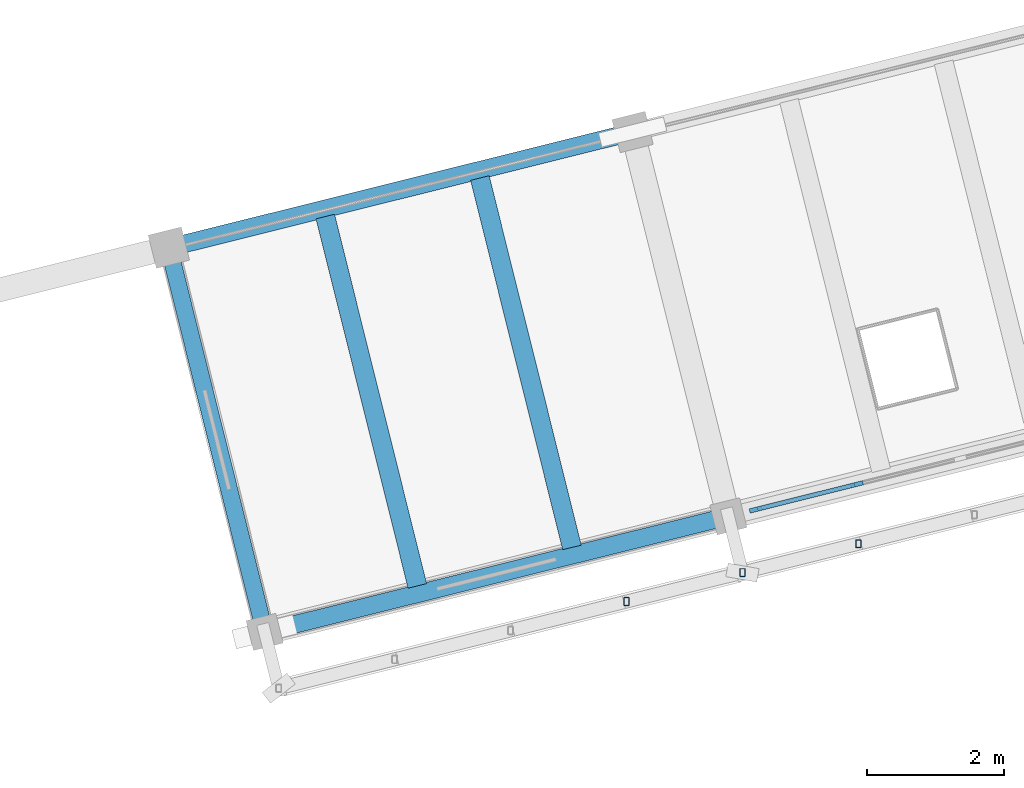
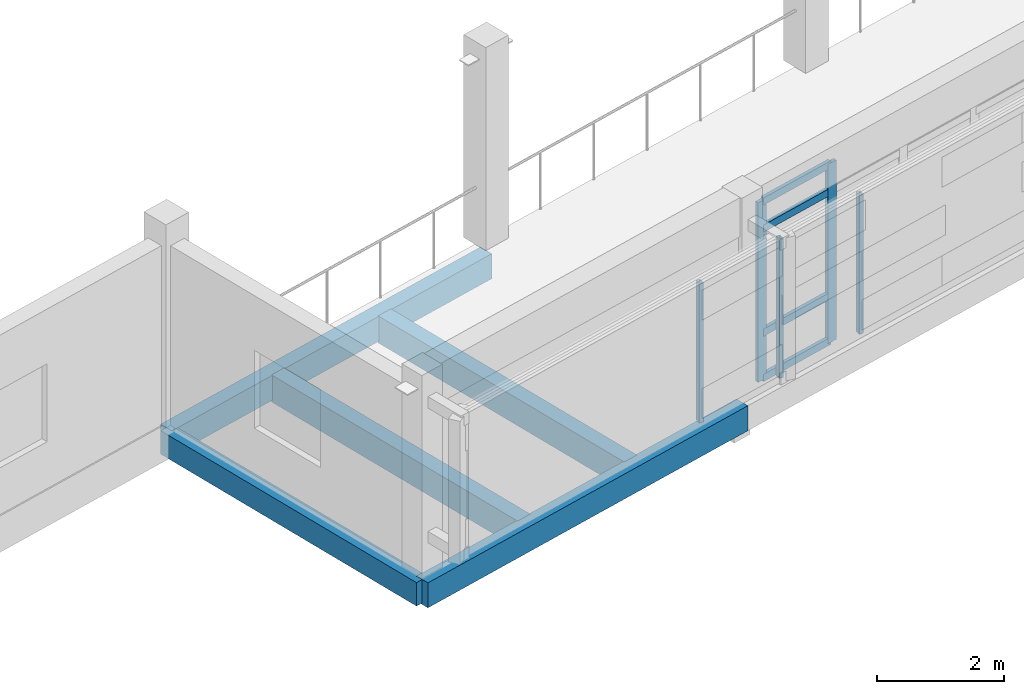
# One storey, part 6 of 117: 9 members, 5 beams, 1 element without a shape of its own.
"""IFC4 building model written with IfcOpenShell, lengths in metres."""

from ifc_helpers import new_model, si_unit, direction, frame, origin, origin_2d, place, context, subcontext, project, spatial, rectangle, hollow_rectangle, extrude, material, material_profile, profile_set, type_object, element, aggregate, save


model = new_model("IFC4")

# Units and contexts
model_context = context("Model", 3, precision=1e-05, world=origin(), true_north=direction((0.0, 1.0)))
body_context = subcontext(model_context, "Body", "Model", "MODEL_VIEW")
ifc_project = project(units=[si_unit("LENGTHUNIT", "METRE"), si_unit("AREAUNIT", "SQUARE_METRE"), si_unit("VOLUMEUNIT", "CUBIC_METRE"), si_unit("PLANEANGLEUNIT", "RADIAN"), si_unit("MASSUNIT", "GRAM", prefix="KILO")], contexts=[model_context])

# Site, building, storey
site_placement = place(None, origin())
site = spatial("IfcSite", under=ifc_project, at=site_placement, CompositionType="ELEMENT")
building_placement = place(site_placement, origin())
building = spatial("IfcBuilding", under=site, at=building_placement, Name="Cinderway Yard Community Centre", CompositionType="ELEMENT")
storey_placement = place(building_placement, frame((0.0, 0.0, 9.0)))
storey = spatial("IfcBuildingStorey", under=building, at=storey_placement, Name="L02", CompositionType="ELEMENT", Elevation=9.0)

# Curtain wall, members
ifc_material_1 = material(Name="Aluminium 6063-T6", Category="aluminium")
curtain_wall_type = type_object("IfcCurtainWallType", Name="ENV-CW-TYPE-08", PredefinedType="USERDEFINED", material=ifc_material_1)
curtain_wall_placement = place(storey_placement, origin())
curtain_wall = element("IfcCurtainWall", 1, at=curtain_wall_placement, inside=storey, type_object=curtain_wall_type, Name="Sanctuary South Curtain Wall ENV-CW-L02-HS-0027", ObjectType="GLAZED CURTAIN WALL", PredefinedType="USERDEFINED")
ifc_material_profile_1 = material_profile(ifc_material_1, rectangle(XDim=0.06494140625, YDim=0.179931640625, at=origin_2d()), Name="Aluminium 6063-T6")
ifc_profile_set_1 = profile_set([ifc_material_profile_1], Name="Aluminium 6063-T6")
member_type_1 = type_object("IfcMemberType", Name="ENV-CW-MULL-180", PredefinedType="MULLION", material=ifc_profile_set_1)
member_1_placement = place(storey_placement, frame((35.195068359375, 22.975341796875, 0.0), z_axis=(0.0, 0.0, 1.0), x_axis=(-0.241856748919, 0.970311966845, 0.0)))
member_1 = element("IfcMember", 2, at=member_1_placement, type_object=member_type_1, Name="CW-08 mullion 1", PredefinedType="MULLION", context=body_context, shape_type="SweptSolid", body=[
    extrude(rectangle(XDim=0.06494140625, YDim=0.179931640625, at=origin_2d()), origin(), (0.0, 0.0, 1.0), 3.449951171875),
])
member_2_placement = place(storey_placement, frame((36.679443359375, 23.34521484375, 0.0), z_axis=(0.0, 0.0, 1.0), x_axis=(-0.241856748919, 0.970311966845, 0.0)))
member_2 = element("IfcMember", 3, at=member_2_placement, type_object=member_type_1, Name="CW-08 mullion 2", PredefinedType="MULLION", context=body_context, shape_type="SweptSolid", body=[
    extrude(rectangle(XDim=0.06494140625, YDim=0.179931640625, at=origin_2d()), origin(), (0.0, 0.0, 1.0), 3.449951171875),
])
ifc_material_profile_2 = material_profile(ifc_material_1, rectangle(XDim=0.06494140625, YDim=0.139892578125, at=origin_2d()), Name="Aluminium 6063-T6")
ifc_profile_set_2 = profile_set([ifc_material_profile_2], Name="Aluminium 6063-T6")
member_type_2 = type_object("IfcMemberType", Name="ENV-CW-TRAN-140", PredefinedType="USERDEFINED", material=ifc_profile_set_2)
member_3_placement = place(storey_placement, frame((35.22412109375, 22.982421875, 0.030029296875), z_axis=(0.970318108791, 0.241832106539, 0.0), x_axis=(-0.241832106539, 0.970318108791, 0.0)))
member_3 = element("IfcMember", 4, at=member_3_placement, type_object=member_type_2, Name="CW-08 transom 1.1", ObjectType="TRANSOM", PredefinedType="USERDEFINED", context=body_context, shape_type="SweptSolid", body=[
    extrude(rectangle(XDim=0.06494140625, YDim=0.139892578125, at=origin_2d()), origin(), (0.0, 0.0, 1.0), 1.469970703125),
])
member_4_placement = place(storey_placement, frame((35.22412109375, 22.982421875, 0.89990234375), z_axis=(0.970318108791, 0.241832106539, 0.0), x_axis=(-0.241832106539, 0.970318108791, 0.0)))
member_4 = element("IfcMember", 5, at=member_4_placement, type_object=member_type_2, Name="CW-08 transom 1.2", ObjectType="TRANSOM", PredefinedType="USERDEFINED", context=body_context, shape_type="SweptSolid", body=[
    extrude(rectangle(XDim=0.06494140625, YDim=0.139892578125, at=origin_2d()), origin(), (0.0, 0.0, 1.0), 1.469970703125),
])
member_5_placement = place(storey_placement, frame((35.22412109375, 22.982421875, 2.89990234375), z_axis=(0.970318108791, 0.241832106539, 0.0), x_axis=(-0.241832106539, 0.970318108791, 0.0)))
member_5 = element("IfcMember", 6, at=member_5_placement, type_object=member_type_2, Name="CW-08 transom 1.3", ObjectType="TRANSOM", PredefinedType="USERDEFINED", context=body_context, shape_type="SweptSolid", body=[
    extrude(rectangle(XDim=0.06494140625, YDim=0.139892578125, at=origin_2d()), origin(), (0.0, 0.0, 1.0), 1.469970703125),
])
member_6_placement = place(storey_placement, frame((35.22412109375, 22.982421875, 3.419921875), z_axis=(0.970318108791, 0.241832106539, 0.0), x_axis=(-0.241832106539, 0.970318108791, 0.0)))
member_6 = element("IfcMember", 7, at=member_6_placement, type_object=member_type_2, Name="CW-08 transom 1.4", ObjectType="TRANSOM", PredefinedType="USERDEFINED", context=body_context, shape_type="SweptSolid", body=[
    extrude(rectangle(XDim=0.06494140625, YDim=0.139892578125, at=origin_2d()), origin(), (0.0, 0.0, 1.0), 1.469970703125),
])
aggregate(curtain_wall, [member_1, member_2, member_3, member_4, member_5, member_6])

# Members
ifc_material_2 = material(Name="Steel S355", Category="steel")
ifc_material_profile_3 = material_profile(ifc_material_2, hollow_rectangle(XDim=0.080078125, YDim=0.1201171875, WallThickness=0.00634765625, InnerFilletRadius=0.00634765625, OuterFilletRadius=0.0126953125, at=origin_2d()), Name="Steel S355")
ifc_profile_set_3 = profile_set([ifc_material_profile_3], Name="Steel S355")
member_type_3 = type_object("IfcMemberType", Name="ENV-MEM-SCREEN-RAIL-120", PredefinedType="STRINGER", material=ifc_profile_set_3)
for number, where, z_axis, x_axis, name in (
    (8, (33.304931640625, 21.6279296875, 0.68994140625), (0.0, 0.0, 1.0), (1.0, 0.0, 0.0), "Screen vertical mullion 0945"),
    (9, (35.0029296875, 22.051025390625, 0.68994140625), (0.0, 0.0, 1.0), (1.0, 0.0, 0.0), "Screen vertical mullion 0946"),
    (10, (36.700927734375, 22.47412109375, 0.68994140625), (0.0, 0.0, 1.0), (1.0, 0.0, 0.0), "Screen vertical mullion 0950"),
):
    element("IfcMember", number, at=place(storey_placement, frame(where, z_axis=z_axis, x_axis=x_axis)), inside=storey, type_object=member_type_3, Name=name, PredefinedType="STRINGER", context=body_context, shape_type="SweptSolid", body=[
        extrude(hollow_rectangle(XDim=0.080078125, YDim=0.1201171875, WallThickness=0.00634765625, InnerFilletRadius=0.00634765625, OuterFilletRadius=0.0126953125, at=origin_2d()), origin(), (0.0, 0.0, 1.0), 2.670166015625),
    ])

# Beams
ifc_material_3 = material(Name="Concrete C40/50", Category="concrete")
ifc_material_profile_4 = material_profile(ifc_material_3, rectangle(XDim=0.25, YDim=0.449951171875, at=origin_2d()), Name="Concrete C40/50")
ifc_profile_set_4 = profile_set([ifc_material_profile_4], Name="Concrete C40/50")
beam_type_1 = type_object("IfcBeamType", Name="STR-BM-RC250X450", PredefinedType="SPANDREL", material=ifc_profile_set_4)
beam_1_placement = place(storey_placement, frame((28.0048828125, 21.18310546875, -0.465087890625), z_axis=(-0.241901609859, 0.970300783854, 0.0), x_axis=(-0.970300783854, -0.241901609859, 0.0)))
element("IfcBeam", 11, at=beam_1_placement, inside=storey, type_object=beam_type_1, Name="Transverse girder STR-BM-L02-SP02-0332", PredefinedType="SPANDREL", context=body_context, shape_type="SweptSolid", body=[
    extrude(rectangle(XDim=0.25, YDim=0.449951171875, at=origin_2d()), origin(), (0.0, 0.0, 1.0), 5.799072265625),
])
ifc_material_profile_5 = material_profile(ifc_material_3, rectangle(XDim=0.260009765625, YDim=0.47998046875, at=origin_2d()), Name="Concrete C40/50")
ifc_profile_set_5 = profile_set([ifc_material_profile_5], Name="Concrete C40/50")
beam_type_2 = type_object("IfcBeamType", Name="STR-BM-RC260X480", PredefinedType="SPANDREL", material=ifc_profile_set_5)
for number, where, z_axis, x_axis, name in (
    (12, (28.0048828125, 21.18310546875, -0.47998046875), (0.970316635025, 0.241838019743, 0.0), (-0.241838019743, 0.970316635025, 0.0), "Primary girder STR-BM-L02-SP01-0325"),
    (13, (26.60205078125, 26.81005859375, -0.47998046875), (0.970281848186, 0.24197755078, 0.0), (-0.24197755078, 0.970281848186, 0.0), "Primary girder STR-BM-L02-SP01-0329"),
):
    element("IfcBeam", number, at=place(storey_placement, frame(where, z_axis=z_axis, x_axis=x_axis)), inside=storey, type_object=beam_type_2, Name=name, PredefinedType="SPANDREL", context=body_context, shape_type="SweptSolid", body=[
        extrude(rectangle(XDim=0.260009765625, YDim=0.47998046875, at=origin_2d()), origin(), (0.0, 0.0, 1.0), 7.0),
    ])
ifc_material_4 = material(Name="Concrete C35/45", Category="concrete")
ifc_material_profile_6 = material_profile(ifc_material_4, rectangle(XDim=0.280029296875, YDim=0.52001953125, at=origin_2d()), Name="Concrete C35/45")
ifc_profile_set_6 = profile_set([ifc_material_profile_6], Name="Concrete C35/45")
beam_type_3 = type_object("IfcBeamType", Name="STR-BM-RC280X520", PredefinedType="JOIST", material=ifc_profile_set_6)
beam_2_placement = place(storey_placement, frame((30.241943359375, 21.85595703125, -0.5), z_axis=(-0.241917421093, 0.970296841885, 0.0), x_axis=(-0.970296841885, -0.241917421093, 0.0)))
element("IfcBeam", 14, at=beam_2_placement, inside=storey, type_object=beam_type_3, Name="Secondary joist STR-BM-L02-BJ04-0337", PredefinedType="JOIST", context=body_context, shape_type="SweptSolid", body=[
    extrude(rectangle(XDim=0.280029296875, YDim=0.52001953125, at=origin_2d()), origin(), (0.0, 0.0, 1.0), 5.57568359375),
])
beam_3_placement = place(storey_placement, frame((32.506103515625, 22.419921875, -0.5), z_axis=(-0.241917532688, 0.970296814062, 0.0), x_axis=(-0.970296814062, -0.241917532688, 0.0)))
element("IfcBeam", 15, at=beam_3_placement, inside=storey, type_object=beam_type_3, Name="Secondary joist STR-BM-L02-BJ04-0338", PredefinedType="JOIST", context=body_context, shape_type="SweptSolid", body=[
    extrude(rectangle(XDim=0.280029296875, YDim=0.52001953125, at=origin_2d()), origin(), (0.0, 0.0, 1.0), 5.57666015625),
])

save(model, "model.ifc")
